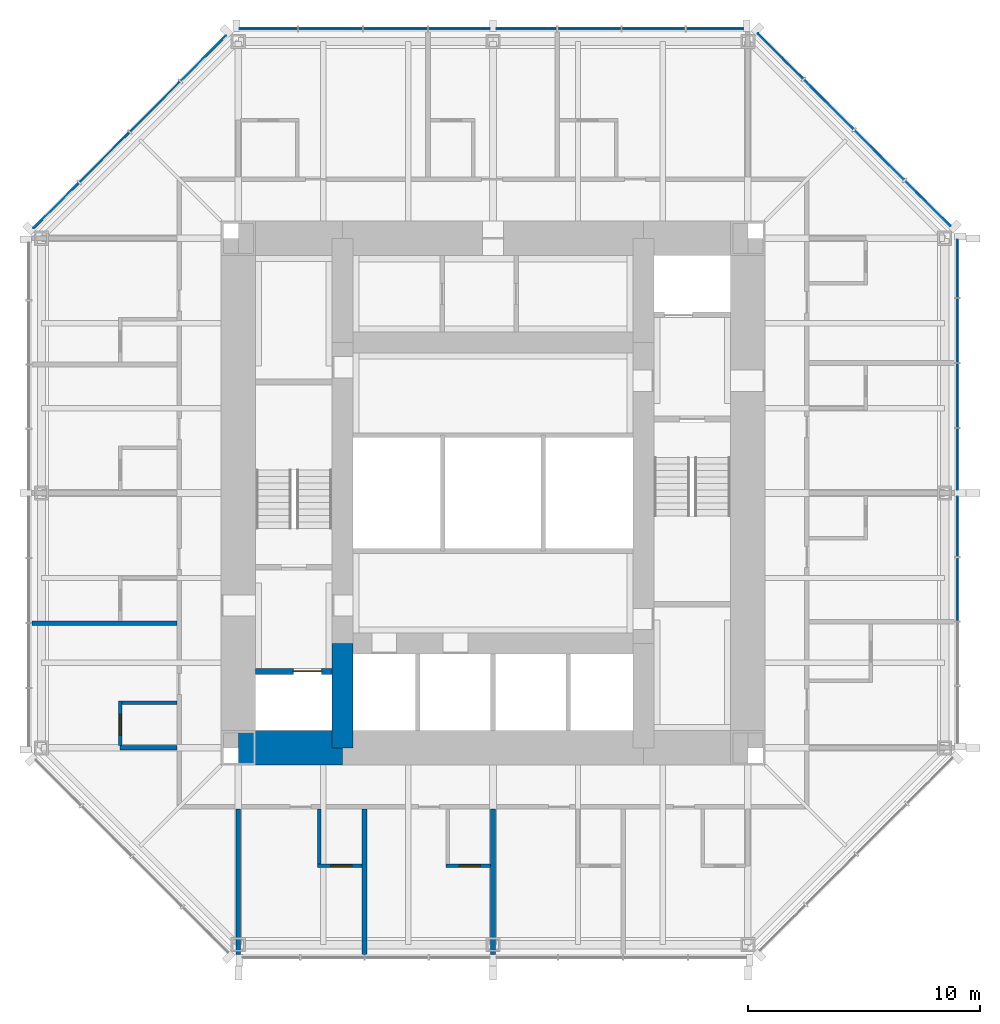
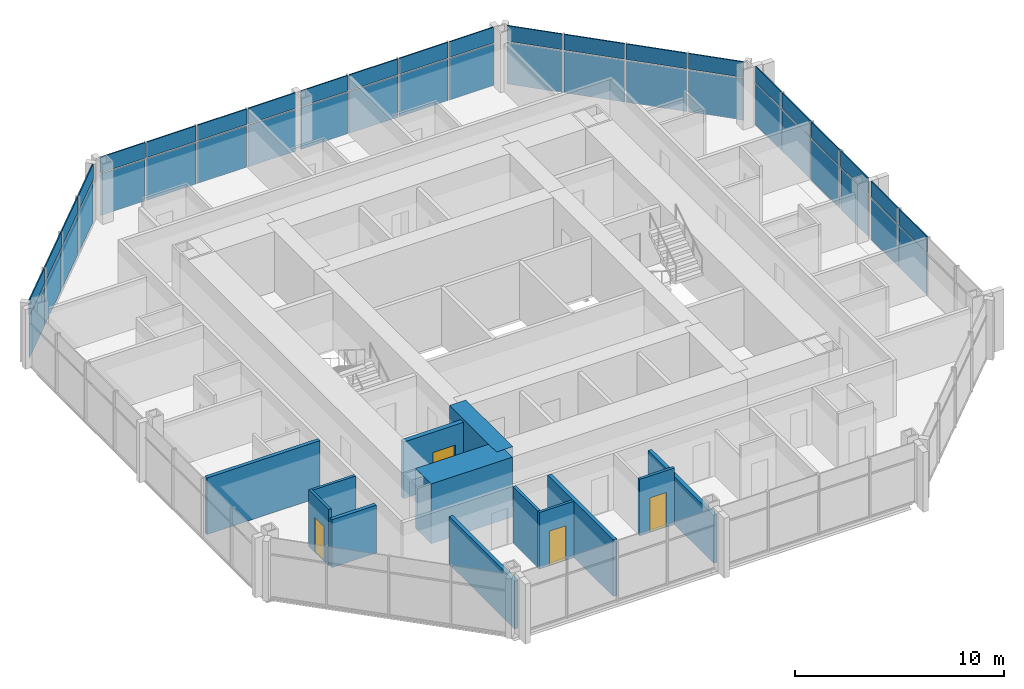
# One storey, part 7 of 12: 44 plates, 13 walls, 4 doors, 4 openings, 4 elements without a shape of their own.
"""IFC4 building model written with IfcOpenShell, lengths in metres."""

from ifc_helpers import new_model, si_unit, direction, frame, frame_2d, origin, origin_2d, place, context, subcontext, project, spatial, rectangle, extrude, material, layer, layer_set, type_object, element, fill, aggregate, save


model = new_model("IFC4")

# Units and contexts
model_context = context("Model", 3, precision=1e-05, world=origin(), true_north=direction((0.0, 1.0)))
body_context = subcontext(model_context, "Body", "Model", "MODEL_VIEW")
ifc_project = project(units=[si_unit("LENGTHUNIT", "METRE"), si_unit("AREAUNIT", "SQUARE_METRE"), si_unit("VOLUMEUNIT", "CUBIC_METRE"), si_unit("PLANEANGLEUNIT", "RADIAN"), si_unit("MASSUNIT", "GRAM", prefix="KILO")], contexts=[model_context])

# Site, building, storey
site_placement = place(None, origin())
site = spatial("IfcSite", under=ifc_project, at=site_placement, CompositionType="ELEMENT")
building_placement = place(site_placement, origin())
building = spatial("IfcBuilding", under=site, at=building_placement, Name="Trevanion Tower", CompositionType="ELEMENT")
storey_placement = place(building_placement, frame((0.0, 0.0, 204.699951171875)))
storey = spatial("IfcBuildingStorey", under=building, at=storey_placement, Name="L48", CompositionType="ELEMENT", Elevation=204.699951171875)

# Curtain wall, plates
ifc_material_1 = material(Name="Aluminium and glass", Category="aluminium")
curtain_wall_type = type_object("IfcCurtainWallType", Name="CW3 curtain wall", PredefinedType="USERDEFINED", material=ifc_material_1)
curtain_wall_1_placement = place(storey_placement, origin())
curtain_wall_1 = element("IfcCurtainWall", 1, at=curtain_wall_1_placement, inside=storey, type_object=curtain_wall_type, Name="CW3 L48 0", ObjectType="UNITISED CURTAIN WALL", PredefinedType="USERDEFINED")
ifc_material_2 = material(Name="Aluminium spandrel panel", Category="aluminium")
ifc_layer_1 = layer(ifc_material_2, 0.06005859375)
ifc_layer_set_1 = layer_set([ifc_layer_1], Name="CW3 spandrel panel")
plate_type_1 = type_object("IfcPlateType", Name="CW3 spandrel panel", PredefinedType="CURTAIN_PANEL", material=ifc_layer_set_1)
plate_1_placement = place(storey_placement, frame((20.050048828125, -4.16162109375, 2.3974609375), z_axis=(0.0, 0.0, 1.0), x_axis=(0.0, 1.0, 0.0)))
plate_1 = element("IfcPlate", 2, at=plate_1_placement, type_object=plate_type_1, Name="CW3 panel 3.2", PredefinedType="CURTAIN_PANEL", context=body_context, shape_type="SweptSolid", body=[
    extrude(rectangle(XDim=2.699462890625, YDim=0.06005859375, at=origin_2d()), origin(), (0.0, 0.0, 1.0), 0.91259765625),
])
plate_2_placement = place(storey_placement, frame((20.050048828125, -1.443603515625, 2.3974609375), z_axis=(0.0, 0.0, 1.0), x_axis=(0.0, 1.0, 0.0)))
plate_2 = element("IfcPlate", 3, at=plate_2_placement, type_object=plate_type_1, Name="CW3 panel 4.2", PredefinedType="CURTAIN_PANEL", context=body_context, shape_type="SweptSolid", body=[
    extrude(rectangle(XDim=2.5869140625, YDim=0.06005859375, at=origin_2d()), origin(), (0.0, 0.0, 1.0), 0.91259765625),
])
plate_3_placement = place(storey_placement, frame((20.050048828125, 1.459716796875, 2.3974609375), z_axis=(0.0, 0.0, 1.0), x_axis=(0.0, 1.0, 0.0)))
plate_3 = element("IfcPlate", 4, at=plate_3_placement, type_object=plate_type_1, Name="CW3 panel 5.2", PredefinedType="CURTAIN_PANEL", context=body_context, shape_type="SweptSolid", body=[
    extrude(rectangle(XDim=2.619384765625, YDim=0.06005859375, at=origin_2d()), origin(), (0.0, 0.0, 1.0), 0.91259765625),
])
plate_4_placement = place(storey_placement, frame((20.050048828125, 4.21044921875, 2.3974609375), z_axis=(0.0, 0.0, 1.0), x_axis=(0.0, 1.0, 0.0)))
plate_4 = element("IfcPlate", 5, at=plate_4_placement, type_object=plate_type_1, Name="CW3 panel 6.2", PredefinedType="CURTAIN_PANEL", context=body_context, shape_type="SweptSolid", body=[
    extrude(rectangle(XDim=2.73193359375, YDim=0.06005859375, at=origin_2d()), origin(), (0.0, 0.0, 1.0), 0.91259765625),
])
plate_5_placement = place(storey_placement, frame((20.050048828125, 7.017333984375, 2.3974609375), z_axis=(0.0, 0.0, 1.0), x_axis=(0.0, 1.0, 0.0)))
plate_5 = element("IfcPlate", 6, at=plate_5_placement, type_object=plate_type_1, Name="CW3 panel 7.2", PredefinedType="CURTAIN_PANEL", context=body_context, shape_type="SweptSolid", body=[
    extrude(rectangle(XDim=2.73193359375, YDim=0.06005859375, at=origin_2d()), origin(), (0.0, 0.0, 1.0), 0.91259765625),
])
plate_6_placement = place(storey_placement, frame((20.050048828125, 9.693115234375, 2.3974609375), z_axis=(0.0, 0.0, 1.0), x_axis=(0.0, 1.0, 0.0)))
plate_6 = element("IfcPlate", 7, at=plate_6_placement, type_object=plate_type_1, Name="CW3 panel 8.2", PredefinedType="CURTAIN_PANEL", context=body_context, shape_type="SweptSolid", body=[
    extrude(rectangle(XDim=2.469482421875, YDim=0.06005859375, at=origin_2d()), origin(), (0.0, 0.0, 1.0), 0.91259765625),
])

curtain_wall_2_placement = place(storey_placement, origin())
curtain_wall_2 = element("IfcCurtainWall", 8, at=curtain_wall_2_placement, inside=storey, type_object=curtain_wall_type, Name="CW3 L48 1", ObjectType="UNITISED CURTAIN WALL", PredefinedType="USERDEFINED")
plate_7_placement = place(storey_placement, frame((18.77392578125, 12.50390625, 2.3974609375), z_axis=(0.0, 0.0, 1.0), x_axis=(-0.707106781187, 0.707106781187, 0.0)))
plate_7 = element("IfcPlate", 9, at=plate_7_placement, type_object=plate_type_1, Name="CW3 panel 1.2", PredefinedType="CURTAIN_PANEL", context=body_context, shape_type="SweptSolid", body=[
    extrude(rectangle(XDim=2.7490234375, YDim=0.06005859375, at=origin_2d()), origin(), (0.0, 0.0, 1.0), 0.91259765625),
])
plate_8_placement = place(storey_placement, frame((16.68408203125, 14.593505859375, 2.3974609375), z_axis=(0.0, 0.0, 1.0), x_axis=(-0.707106781187, 0.707106781187, 0.0)))
plate_8 = element("IfcPlate", 10, at=plate_8_placement, type_object=plate_type_1, Name="CW3 panel 2.2", PredefinedType="CURTAIN_PANEL", context=body_context, shape_type="SweptSolid", body=[
    extrude(rectangle(XDim=3.01171875, YDim=0.06005859375, at=origin_2d()), origin(), (0.0, 0.0, 1.0), 0.91259765625),
])
plate_9_placement = place(storey_placement, frame((14.501708984375, 16.776123046875, 2.3974609375), z_axis=(0.0, 0.0, 1.0), x_axis=(-0.707106781187, 0.707106781187, 0.0)))
plate_9 = element("IfcPlate", 11, at=plate_9_placement, type_object=plate_type_1, Name="CW3 panel 3.2", PredefinedType="CURTAIN_PANEL", context=body_context, shape_type="SweptSolid", body=[
    extrude(rectangle(XDim=3.01171875, YDim=0.06005859375, at=origin_2d()), origin(), (0.0, 0.0, 1.0), 0.91259765625),
])
plate_10_placement = place(storey_placement, frame((12.411865234375, 18.865966796875, 2.3974609375), z_axis=(0.0, 0.0, 1.0), x_axis=(-0.707106781187, 0.707106781187, 0.0)))
plate_10 = element("IfcPlate", 12, at=plate_10_placement, type_object=plate_type_1, Name="CW3 panel 4.2", PredefinedType="CURTAIN_PANEL", context=body_context, shape_type="SweptSolid", body=[
    extrude(rectangle(XDim=2.7490234375, YDim=0.06005859375, at=origin_2d()), origin(), (0.0, 0.0, 1.0), 0.91259765625),
])

curtain_wall_3_placement = place(storey_placement, origin())
curtain_wall_3 = element("IfcCurtainWall", 13, at=curtain_wall_3_placement, inside=storey, type_object=curtain_wall_type, Name="CW3 L48 2", ObjectType="UNITISED CURTAIN WALL", PredefinedType="USERDEFINED")
plate_11_placement = place(storey_placement, frame((9.579345703125, 20.050048828125, 2.3974609375), z_axis=(0.0, 0.0, 1.0), x_axis=(-1.0, 0.0, 0.0)))
plate_11 = element("IfcPlate", 14, at=plate_11_placement, type_object=plate_type_1, Name="CW3 panel 1.2", PredefinedType="CURTAIN_PANEL", context=body_context, shape_type="SweptSolid", body=[
    extrude(rectangle(XDim=2.43701171875, YDim=0.06005859375, at=origin_2d()), origin(), (0.0, 0.0, 1.0), 0.91259765625),
])
plate_12_placement = place(storey_placement, frame((6.93603515625, 20.050048828125, 2.3974609375), z_axis=(0.0, 0.0, 1.0), x_axis=(-1.0, 0.0, 0.0)))
plate_12 = element("IfcPlate", 15, at=plate_12_placement, type_object=plate_type_1, Name="CW3 panel 2.2", PredefinedType="CURTAIN_PANEL", context=body_context, shape_type="SweptSolid", body=[
    extrude(rectangle(XDim=2.699462890625, YDim=0.06005859375, at=origin_2d()), origin(), (0.0, 0.0, 1.0), 0.91259765625),
])
plate_13_placement = place(storey_placement, frame((4.16162109375, 20.050048828125, 2.3974609375), z_axis=(0.0, 0.0, 1.0), x_axis=(-1.0, 0.0, 0.0)))
plate_13 = element("IfcPlate", 16, at=plate_13_placement, type_object=plate_type_1, Name="CW3 panel 3.2", PredefinedType="CURTAIN_PANEL", context=body_context, shape_type="SweptSolid", body=[
    extrude(rectangle(XDim=2.699462890625, YDim=0.06005859375, at=origin_2d()), origin(), (0.0, 0.0, 1.0), 0.91259765625),
])
plate_14_placement = place(storey_placement, frame((1.443603515625, 20.050048828125, 2.3974609375), z_axis=(0.0, 0.0, 1.0), x_axis=(-1.0, 0.0, 0.0)))
plate_14 = element("IfcPlate", 17, at=plate_14_placement, type_object=plate_type_1, Name="CW3 panel 4.2", PredefinedType="CURTAIN_PANEL", context=body_context, shape_type="SweptSolid", body=[
    extrude(rectangle(XDim=2.5869140625, YDim=0.06005859375, at=origin_2d()), origin(), (0.0, 0.0, 1.0), 0.91259765625),
])
plate_15_placement = place(storey_placement, frame((-1.459716796875, 20.050048828125, 2.3974609375), z_axis=(0.0, 0.0, 1.0), x_axis=(-1.0, 0.0, 0.0)))
plate_15 = element("IfcPlate", 18, at=plate_15_placement, type_object=plate_type_1, Name="CW3 panel 5.2", PredefinedType="CURTAIN_PANEL", context=body_context, shape_type="SweptSolid", body=[
    extrude(rectangle(XDim=2.619384765625, YDim=0.06005859375, at=origin_2d()), origin(), (0.0, 0.0, 1.0), 0.91259765625),
])
plate_16_placement = place(storey_placement, frame((-4.21044921875, 20.050048828125, 2.3974609375), z_axis=(0.0, 0.0, 1.0), x_axis=(-1.0, 0.0, 0.0)))
plate_16 = element("IfcPlate", 19, at=plate_16_placement, type_object=plate_type_1, Name="CW3 panel 6.2", PredefinedType="CURTAIN_PANEL", context=body_context, shape_type="SweptSolid", body=[
    extrude(rectangle(XDim=2.73193359375, YDim=0.06005859375, at=origin_2d()), origin(), (0.0, 0.0, 1.0), 0.91259765625),
])
plate_17_placement = place(storey_placement, frame((-7.017333984375, 20.050048828125, 2.3974609375), z_axis=(0.0, 0.0, 1.0), x_axis=(-1.0, 0.0, 0.0)))
plate_17 = element("IfcPlate", 20, at=plate_17_placement, type_object=plate_type_1, Name="CW3 panel 7.2", PredefinedType="CURTAIN_PANEL", context=body_context, shape_type="SweptSolid", body=[
    extrude(rectangle(XDim=2.73193359375, YDim=0.06005859375, at=origin_2d()), origin(), (0.0, 0.0, 1.0), 0.91259765625),
])
plate_18_placement = place(storey_placement, frame((-9.693115234375, 20.050048828125, 2.3974609375), z_axis=(0.0, 0.0, 1.0), x_axis=(-1.0, 0.0, 0.0)))
plate_18 = element("IfcPlate", 21, at=plate_18_placement, type_object=plate_type_1, Name="CW3 panel 8.2", PredefinedType="CURTAIN_PANEL", context=body_context, shape_type="SweptSolid", body=[
    extrude(rectangle(XDim=2.469482421875, YDim=0.06005859375, at=origin_2d()), origin(), (0.0, 0.0, 1.0), 0.91259765625),
])

curtain_wall_4_placement = place(storey_placement, origin())
curtain_wall_4 = element("IfcCurtainWall", 22, at=curtain_wall_4_placement, inside=storey, type_object=curtain_wall_type, Name="CW3 L48 3", ObjectType="UNITISED CURTAIN WALL", PredefinedType="USERDEFINED")
plate_19_placement = place(storey_placement, frame((-12.50390625, 18.77392578125, 2.3974609375), z_axis=(0.0, 0.0, 1.0), x_axis=(-0.707106781187, -0.707106781187, 0.0)))
plate_19 = element("IfcPlate", 23, at=plate_19_placement, type_object=plate_type_1, Name="CW3 panel 1.2", PredefinedType="CURTAIN_PANEL", context=body_context, shape_type="SweptSolid", body=[
    extrude(rectangle(XDim=2.7490234375, YDim=0.06005859375, at=origin_2d()), origin(), (0.0, 0.0, 1.0), 0.91259765625),
])
plate_20_placement = place(storey_placement, frame((-14.593505859375, 16.68408203125, 2.3974609375), z_axis=(0.0, 0.0, 1.0), x_axis=(-0.707106781187, -0.707106781187, 0.0)))
plate_20 = element("IfcPlate", 24, at=plate_20_placement, type_object=plate_type_1, Name="CW3 panel 2.2", PredefinedType="CURTAIN_PANEL", context=body_context, shape_type="SweptSolid", body=[
    extrude(rectangle(XDim=3.01171875, YDim=0.06005859375, at=origin_2d()), origin(), (0.0, 0.0, 1.0), 0.91259765625),
])
plate_21_placement = place(storey_placement, frame((-16.776123046875, 14.501708984375, 2.3974609375), z_axis=(0.0, 0.0, 1.0), x_axis=(-0.707106781187, -0.707106781187, 0.0)))
plate_21 = element("IfcPlate", 25, at=plate_21_placement, type_object=plate_type_1, Name="CW3 panel 3.2", PredefinedType="CURTAIN_PANEL", context=body_context, shape_type="SweptSolid", body=[
    extrude(rectangle(XDim=3.01171875, YDim=0.06005859375, at=origin_2d()), origin(), (0.0, 0.0, 1.0), 0.91259765625),
])
plate_22_placement = place(storey_placement, frame((-18.865966796875, 12.411865234375, 2.3974609375), z_axis=(0.0, 0.0, 1.0), x_axis=(-0.707106781187, -0.707106781187, 0.0)))
plate_22 = element("IfcPlate", 26, at=plate_22_placement, type_object=plate_type_1, Name="CW3 panel 4.2", PredefinedType="CURTAIN_PANEL", context=body_context, shape_type="SweptSolid", body=[
    extrude(rectangle(XDim=2.7490234375, YDim=0.06005859375, at=origin_2d()), origin(), (0.0, 0.0, 1.0), 0.91259765625),
])

# Plate
ifc_material_3 = material(Name="Insulating glass unit", Category="glass")
ifc_layer_2 = layer(ifc_material_3, 0.028076171875)
ifc_layer_set_2 = layer_set([ifc_layer_2], Name="CW3 vision panel")
plate_type_2 = type_object("IfcPlateType", Name="CW3 vision panel", PredefinedType="CURTAIN_PANEL", material=ifc_layer_set_2)
plate_23_placement = place(storey_placement, frame((20.050048828125, -4.16162109375, -0.114990234375), z_axis=(0.0, 0.0, 1.0), x_axis=(0.0, 1.0, 0.0)))
plate_23 = element("IfcPlate", 27, at=plate_23_placement, type_object=plate_type_2, Name="CW3 panel 3.1", PredefinedType="CURTAIN_PANEL", context=body_context, shape_type="SweptSolid", body=[
    extrude(rectangle(XDim=2.699462890625, YDim=0.028076171875, at=origin_2d()), origin(), (0.0, 0.0, 1.0), 2.4375),
])

plate_24_placement = place(storey_placement, frame((20.050048828125, -1.443603515625, -0.114990234375), z_axis=(0.0, 0.0, 1.0), x_axis=(0.0, 1.0, 0.0)))
plate_24 = element("IfcPlate", 28, at=plate_24_placement, type_object=plate_type_2, Name="CW3 panel 4.1", PredefinedType="CURTAIN_PANEL", context=body_context, shape_type="SweptSolid", body=[
    extrude(rectangle(XDim=2.5869140625, YDim=0.028076171875, at=origin_2d()), origin(), (0.0, 0.0, 1.0), 2.4375),
])

plate_25_placement = place(storey_placement, frame((20.050048828125, 1.459716796875, -0.114990234375), z_axis=(0.0, 0.0, 1.0), x_axis=(0.0, 1.0, 0.0)))
plate_25 = element("IfcPlate", 29, at=plate_25_placement, type_object=plate_type_2, Name="CW3 panel 5.1", PredefinedType="CURTAIN_PANEL", context=body_context, shape_type="SweptSolid", body=[
    extrude(rectangle(XDim=2.619384765625, YDim=0.028076171875, at=origin_2d()), origin(), (0.0, 0.0, 1.0), 2.4375),
])

plate_26_placement = place(storey_placement, frame((20.050048828125, 4.21044921875, -0.114990234375), z_axis=(0.0, 0.0, 1.0), x_axis=(0.0, 1.0, 0.0)))
plate_26 = element("IfcPlate", 30, at=plate_26_placement, type_object=plate_type_2, Name="CW3 panel 6.1", PredefinedType="CURTAIN_PANEL", context=body_context, shape_type="SweptSolid", body=[
    extrude(rectangle(XDim=2.73193359375, YDim=0.028076171875, at=origin_2d()), origin(), (0.0, 0.0, 1.0), 2.4375),
])

plate_27_placement = place(storey_placement, frame((20.050048828125, 7.017333984375, -0.114990234375), z_axis=(0.0, 0.0, 1.0), x_axis=(0.0, 1.0, 0.0)))
plate_27 = element("IfcPlate", 31, at=plate_27_placement, type_object=plate_type_2, Name="CW3 panel 7.1", PredefinedType="CURTAIN_PANEL", context=body_context, shape_type="SweptSolid", body=[
    extrude(rectangle(XDim=2.73193359375, YDim=0.028076171875, at=origin_2d()), origin(), (0.0, 0.0, 1.0), 2.4375),
])

plate_28_placement = place(storey_placement, frame((20.050048828125, 9.693115234375, -0.114990234375), z_axis=(0.0, 0.0, 1.0), x_axis=(0.0, 1.0, 0.0)))
plate_28 = element("IfcPlate", 32, at=plate_28_placement, type_object=plate_type_2, Name="CW3 panel 8.1", PredefinedType="CURTAIN_PANEL", context=body_context, shape_type="SweptSolid", body=[
    extrude(rectangle(XDim=2.469482421875, YDim=0.028076171875, at=origin_2d()), origin(), (0.0, 0.0, 1.0), 2.4375),
])

aggregate(curtain_wall_1, [plate_23, plate_1, plate_24, plate_2, plate_25, plate_3, plate_26, plate_4, plate_27, plate_5, plate_28, plate_6])

plate_29_placement = place(storey_placement, frame((18.77392578125, 12.50390625, -0.114990234375), z_axis=(0.0, 0.0, 1.0), x_axis=(-0.707106781187, 0.707106781187, 0.0)))
plate_29 = element("IfcPlate", 33, at=plate_29_placement, type_object=plate_type_2, Name="CW3 panel 1.1", PredefinedType="CURTAIN_PANEL", context=body_context, shape_type="SweptSolid", body=[
    extrude(rectangle(XDim=2.7490234375, YDim=0.028076171875, at=origin_2d()), origin(), (0.0, 0.0, 1.0), 2.4375),
])

plate_30_placement = place(storey_placement, frame((16.68408203125, 14.593505859375, -0.114990234375), z_axis=(0.0, 0.0, 1.0), x_axis=(-0.707106781187, 0.707106781187, 0.0)))
plate_30 = element("IfcPlate", 34, at=plate_30_placement, type_object=plate_type_2, Name="CW3 panel 2.1", PredefinedType="CURTAIN_PANEL", context=body_context, shape_type="SweptSolid", body=[
    extrude(rectangle(XDim=3.01171875, YDim=0.028076171875, at=origin_2d()), origin(), (0.0, 0.0, 1.0), 2.4375),
])

plate_31_placement = place(storey_placement, frame((14.501708984375, 16.776123046875, -0.114990234375), z_axis=(0.0, 0.0, 1.0), x_axis=(-0.707106781187, 0.707106781187, 0.0)))
plate_31 = element("IfcPlate", 35, at=plate_31_placement, type_object=plate_type_2, Name="CW3 panel 3.1", PredefinedType="CURTAIN_PANEL", context=body_context, shape_type="SweptSolid", body=[
    extrude(rectangle(XDim=3.01171875, YDim=0.028076171875, at=origin_2d()), origin(), (0.0, 0.0, 1.0), 2.4375),
])

plate_32_placement = place(storey_placement, frame((12.411865234375, 18.865966796875, -0.114990234375), z_axis=(0.0, 0.0, 1.0), x_axis=(-0.707106781187, 0.707106781187, 0.0)))
plate_32 = element("IfcPlate", 36, at=plate_32_placement, type_object=plate_type_2, Name="CW3 panel 4.1", PredefinedType="CURTAIN_PANEL", context=body_context, shape_type="SweptSolid", body=[
    extrude(rectangle(XDim=2.7490234375, YDim=0.028076171875, at=origin_2d()), origin(), (0.0, 0.0, 1.0), 2.4375),
])

aggregate(curtain_wall_2, [plate_29, plate_7, plate_30, plate_8, plate_31, plate_9, plate_32, plate_10])

plate_33_placement = place(storey_placement, frame((9.579345703125, 20.050048828125, -0.114990234375), z_axis=(0.0, 0.0, 1.0), x_axis=(-1.0, 0.0, 0.0)))
plate_33 = element("IfcPlate", 37, at=plate_33_placement, type_object=plate_type_2, Name="CW3 panel 1.1", PredefinedType="CURTAIN_PANEL", context=body_context, shape_type="SweptSolid", body=[
    extrude(rectangle(XDim=2.43701171875, YDim=0.028076171875, at=origin_2d()), origin(), (0.0, 0.0, 1.0), 2.4375),
])

plate_34_placement = place(storey_placement, frame((6.93603515625, 20.050048828125, -0.114990234375), z_axis=(0.0, 0.0, 1.0), x_axis=(-1.0, 0.0, 0.0)))
plate_34 = element("IfcPlate", 38, at=plate_34_placement, type_object=plate_type_2, Name="CW3 panel 2.1", PredefinedType="CURTAIN_PANEL", context=body_context, shape_type="SweptSolid", body=[
    extrude(rectangle(XDim=2.699462890625, YDim=0.028076171875, at=origin_2d()), origin(), (0.0, 0.0, 1.0), 2.4375),
])

plate_35_placement = place(storey_placement, frame((4.16162109375, 20.050048828125, -0.114990234375), z_axis=(0.0, 0.0, 1.0), x_axis=(-1.0, 0.0, 0.0)))
plate_35 = element("IfcPlate", 39, at=plate_35_placement, type_object=plate_type_2, Name="CW3 panel 3.1", PredefinedType="CURTAIN_PANEL", context=body_context, shape_type="SweptSolid", body=[
    extrude(rectangle(XDim=2.699462890625, YDim=0.028076171875, at=origin_2d()), origin(), (0.0, 0.0, 1.0), 2.4375),
])

plate_36_placement = place(storey_placement, frame((1.443603515625, 20.050048828125, -0.114990234375), z_axis=(0.0, 0.0, 1.0), x_axis=(-1.0, 0.0, 0.0)))
plate_36 = element("IfcPlate", 40, at=plate_36_placement, type_object=plate_type_2, Name="CW3 panel 4.1", PredefinedType="CURTAIN_PANEL", context=body_context, shape_type="SweptSolid", body=[
    extrude(rectangle(XDim=2.5869140625, YDim=0.028076171875, at=origin_2d()), origin(), (0.0, 0.0, 1.0), 2.4375),
])

plate_37_placement = place(storey_placement, frame((-1.459716796875, 20.050048828125, -0.114990234375), z_axis=(0.0, 0.0, 1.0), x_axis=(-1.0, 0.0, 0.0)))
plate_37 = element("IfcPlate", 41, at=plate_37_placement, type_object=plate_type_2, Name="CW3 panel 5.1", PredefinedType="CURTAIN_PANEL", context=body_context, shape_type="SweptSolid", body=[
    extrude(rectangle(XDim=2.619384765625, YDim=0.028076171875, at=origin_2d()), origin(), (0.0, 0.0, 1.0), 2.4375),
])

plate_38_placement = place(storey_placement, frame((-4.21044921875, 20.050048828125, -0.114990234375), z_axis=(0.0, 0.0, 1.0), x_axis=(-1.0, 0.0, 0.0)))
plate_38 = element("IfcPlate", 42, at=plate_38_placement, type_object=plate_type_2, Name="CW3 panel 6.1", PredefinedType="CURTAIN_PANEL", context=body_context, shape_type="SweptSolid", body=[
    extrude(rectangle(XDim=2.73193359375, YDim=0.028076171875, at=origin_2d()), origin(), (0.0, 0.0, 1.0), 2.4375),
])

plate_39_placement = place(storey_placement, frame((-7.017333984375, 20.050048828125, -0.114990234375), z_axis=(0.0, 0.0, 1.0), x_axis=(-1.0, 0.0, 0.0)))
plate_39 = element("IfcPlate", 43, at=plate_39_placement, type_object=plate_type_2, Name="CW3 panel 7.1", PredefinedType="CURTAIN_PANEL", context=body_context, shape_type="SweptSolid", body=[
    extrude(rectangle(XDim=2.73193359375, YDim=0.028076171875, at=origin_2d()), origin(), (0.0, 0.0, 1.0), 2.4375),
])

plate_40_placement = place(storey_placement, frame((-9.693115234375, 20.050048828125, -0.114990234375), z_axis=(0.0, 0.0, 1.0), x_axis=(-1.0, 0.0, 0.0)))
plate_40 = element("IfcPlate", 44, at=plate_40_placement, type_object=plate_type_2, Name="CW3 panel 8.1", PredefinedType="CURTAIN_PANEL", context=body_context, shape_type="SweptSolid", body=[
    extrude(rectangle(XDim=2.469482421875, YDim=0.028076171875, at=origin_2d()), origin(), (0.0, 0.0, 1.0), 2.4375),
])

aggregate(curtain_wall_3, [plate_33, plate_11, plate_34, plate_12, plate_35, plate_13, plate_36, plate_14, plate_37, plate_15, plate_38, plate_16, plate_39, plate_17, plate_40, plate_18])

plate_41_placement = place(storey_placement, frame((-12.50390625, 18.77392578125, -0.114990234375), z_axis=(0.0, 0.0, 1.0), x_axis=(-0.707106781187, -0.707106781187, 0.0)))
plate_41 = element("IfcPlate", 45, at=plate_41_placement, type_object=plate_type_2, Name="CW3 panel 1.1", PredefinedType="CURTAIN_PANEL", context=body_context, shape_type="SweptSolid", body=[
    extrude(rectangle(XDim=2.7490234375, YDim=0.028076171875, at=origin_2d()), origin(), (0.0, 0.0, 1.0), 2.4375),
])

plate_42_placement = place(storey_placement, frame((-14.593505859375, 16.68408203125, -0.114990234375), z_axis=(0.0, 0.0, 1.0), x_axis=(-0.707106781187, -0.707106781187, 0.0)))
plate_42 = element("IfcPlate", 46, at=plate_42_placement, type_object=plate_type_2, Name="CW3 panel 2.1", PredefinedType="CURTAIN_PANEL", context=body_context, shape_type="SweptSolid", body=[
    extrude(rectangle(XDim=3.01171875, YDim=0.028076171875, at=origin_2d()), origin(), (0.0, 0.0, 1.0), 2.4375),
])

plate_43_placement = place(storey_placement, frame((-16.776123046875, 14.501708984375, -0.114990234375), z_axis=(0.0, 0.0, 1.0), x_axis=(-0.707106781187, -0.707106781187, 0.0)))
plate_43 = element("IfcPlate", 47, at=plate_43_placement, type_object=plate_type_2, Name="CW3 panel 3.1", PredefinedType="CURTAIN_PANEL", context=body_context, shape_type="SweptSolid", body=[
    extrude(rectangle(XDim=3.01171875, YDim=0.028076171875, at=origin_2d()), origin(), (0.0, 0.0, 1.0), 2.4375),
])

plate_44_placement = place(storey_placement, frame((-18.865966796875, 12.411865234375, -0.114990234375), z_axis=(0.0, 0.0, 1.0), x_axis=(-0.707106781187, -0.707106781187, 0.0)))
plate_44 = element("IfcPlate", 48, at=plate_44_placement, type_object=plate_type_2, Name="CW3 panel 4.1", PredefinedType="CURTAIN_PANEL", context=body_context, shape_type="SweptSolid", body=[
    extrude(rectangle(XDim=2.7490234375, YDim=0.028076171875, at=origin_2d()), origin(), (0.0, 0.0, 1.0), 2.4375),
])

aggregate(curtain_wall_4, [plate_41, plate_19, plate_42, plate_20, plate_43, plate_21, plate_44, plate_22])

# Walls
ifc_material_4 = material(Name="Concrete 10,000 psi", Category="concrete")
ifc_layer_3 = layer(ifc_material_4, 1.5)
ifc_layer_set_3 = layer_set([ifc_layer_3], Name="CW1 core wall 1500")
wall_type_1 = type_object("IfcWallType", Name="CW1 core wall 1500", PredefinedType="SHEAR", material=ifc_layer_set_3)
wall_1_placement = place(storey_placement, frame((-11.0, -11.0, 0.0), z_axis=(0.0, 0.0, 1.0), x_axis=(1.0, 0.0, 0.0)))
element("IfcWall", 49, at=wall_1_placement, inside=storey, type_object=wall_type_1, Name="CW1 CS1 L48", PredefinedType="SHEAR", context=body_context, shape_type="SweptSolid", body=[
    extrude(rectangle(XDim=4.5, YDim=1.5, at=frame_2d((2.25, 0.0))), origin(), (0.0, 0.0, 1.0), 3.5),
])
ifc_material_5 = material(Name="Concrete 10,000 psi", Category="concrete")
ifc_layer_4 = layer(ifc_material_5, 0.89990234375)
ifc_layer_set_4 = layer_set([ifc_layer_4], Name="CW2 core wall 900")
wall_type_2 = type_object("IfcWallType", Name="CW2 core wall 900", PredefinedType="SHEAR", material=ifc_layer_set_4)
wall_2_placement = place(storey_placement, frame((-6.5, -6.5, 0.0), z_axis=(0.0, 0.0, 1.0), x_axis=(0.0, -1.0, 0.0)))
element("IfcWall", 50, at=wall_2_placement, inside=storey, type_object=wall_type_2, Name="CW2 RW3 L48", PredefinedType="SHEAR", context=body_context, shape_type="SweptSolid", body=[
    extrude(rectangle(XDim=4.5, YDim=0.89990234375, at=frame_2d((2.25, 0.0))), origin(), (0.0, 0.0, 1.0), 3.5),
])

# Wall, opening, door
ifc_material_6 = material(Name="Gypsum board on steel studs", Category="steel")
ifc_layer_5 = layer(ifc_material_6, 0.14990234375)
ifc_layer_set_5 = layer_set([ifc_layer_5], Name="PT1 partition 150")
wall_type_3 = type_object("IfcWallType", Name="PT1 partition 150", PredefinedType="PARTITIONING", material=ifc_layer_set_5)
wall_3_placement = place(storey_placement, frame((-16.10009765625, -8.97509765625, 0.0), z_axis=(0.0, 0.0, 1.0), x_axis=(0.0, -1.0, 0.0)))
wall_3 = element("IfcWall", 51, at=wall_3_placement, inside=storey, type_object=wall_type_3, Name="PT1 L48 BA23", PredefinedType="PARTITIONING", context=body_context, shape_type="SweptSolid", body=[
    extrude(rectangle(XDim=1.9248046875, YDim=0.14990234375, at=frame_2d((0.96240234375, 0.0))), origin(), (0.0, 0.0, 1.0), 3.31005859375),
])
opening_1_placement = place(wall_3_placement, frame((0.5673828125, 0.0, 0.0)))
opening_1 = element("IfcOpeningElement", 52, at=opening_1_placement, cuts=wall_3, Name="Opening 48-036", PredefinedType="OPENING", context=body_context, shape_type="SweptSolid", body=[
    extrude(rectangle(XDim=0.9150390625, YDim=2.031982421875, at=frame_2d((0.45751953125, 1.01611328125))), frame((0.0, 0.0849609375, 0.0), z_axis=(0.0, -1.0, 0.0), x_axis=(1.0, 0.0, 0.0)), (0.0, 0.0, 1.0), 0.169921875),
])
ifc_material_7 = material(Name="Timber veneer", Category="wood")
door_type_1 = type_object("IfcDoorType", Name="D7 bathroom door", OperationType="SINGLE_SWING_LEFT", PredefinedType="DOOR", material=ifc_material_7)
door_1_placement = place(opening_1_placement, origin())
door_1 = element("IfcDoor", 53, at=door_1_placement, inside=storey, type_object=door_type_1, Name="Door 48-036", OperationType="SINGLE_SWING_LEFT", OverallHeight=2.031982421875, OverallWidth=0.9150390625, PredefinedType="DOOR", context=body_context, shape_type="SweptSolid", body=[
    extrude(rectangle(XDim=0.9150390625, YDim=2.031982421875, at=frame_2d((0.45751953125, 1.01611328125))), frame((0.0, 0.02490234375, 0.0), z_axis=(0.0, -1.0, 0.0), x_axis=(1.0, 0.0, 0.0)), (0.0, 0.0, 1.0), 0.050048828125),
])
fill(opening_1, door_1)

# Wall
wall_4_placement = place(storey_placement, frame((-13.64990234375, -9.050048828125, 0.0), z_axis=(0.0, 0.0, 1.0), x_axis=(-1.0, 0.0, 0.0)))
element("IfcWall", 54, at=wall_4_placement, inside=storey, type_object=wall_type_3, Name="PT1 L48 BB23", PredefinedType="PARTITIONING", context=body_context, shape_type="SweptSolid", body=[
    extrude(rectangle(XDim=2.375, YDim=0.14990234375, at=frame_2d((1.1875, 0.0))), origin(), (0.0, 0.0, 1.0), 3.31005859375),
])

# Wall, opening, door
wall_5_placement = place(storey_placement, frame((-7.573974609375, -16.10009765625, 0.0), z_axis=(0.0, 0.0, 1.0), x_axis=(1.0, 0.0, 0.0)))
wall_5 = element("IfcWall", 55, at=wall_5_placement, inside=storey, type_object=wall_type_3, Name="PT1 L48 BA30", PredefinedType="PARTITIONING", context=body_context, shape_type="SweptSolid", body=[
    extrude(rectangle(XDim=1.925048828125, YDim=0.14990234375, at=frame_2d((0.96240234375, 0.0))), origin(), (0.0, 0.0, 1.0), 3.31005859375),
])
opening_2_placement = place(wall_5_placement, frame((0.5673828125, 0.0, 0.0)))
opening_2 = element("IfcOpeningElement", 56, at=opening_2_placement, cuts=wall_5, Name="Opening 48-038", PredefinedType="OPENING", context=body_context, shape_type="SweptSolid", body=[
    extrude(rectangle(XDim=0.9150390625, YDim=2.031982421875, at=frame_2d((0.45751953125, 1.01611328125))), frame((0.0, 0.0849609375, 0.0), z_axis=(0.0, -1.0, 0.0), x_axis=(1.0, 0.0, 0.0)), (0.0, 0.0, 1.0), 0.169921875),
])
door_2_placement = place(opening_2_placement, origin())
door_2 = element("IfcDoor", 57, at=door_2_placement, inside=storey, type_object=door_type_1, Name="Door 48-038", OperationType="SINGLE_SWING_LEFT", OverallHeight=2.031982421875, OverallWidth=0.9150390625, PredefinedType="DOOR", context=body_context, shape_type="SweptSolid", body=[
    extrude(rectangle(XDim=0.9150390625, YDim=2.031982421875, at=frame_2d((0.45751953125, 1.01611328125))), frame((0.0, 0.02490234375, 0.0), z_axis=(0.0, -1.0, 0.0), x_axis=(1.0, 0.0, 0.0)), (0.0, 0.0, 1.0), 0.050048828125),
])
fill(opening_2, door_2)

# Wall
wall_6_placement = place(storey_placement, frame((-7.4990234375, -13.64990234375, 0.0), z_axis=(0.0, 0.0, 1.0), x_axis=(0.0, -1.0, 0.0)))
element("IfcWall", 58, at=wall_6_placement, inside=storey, type_object=wall_type_3, Name="PT1 L48 BB30", PredefinedType="PARTITIONING", context=body_context, shape_type="SweptSolid", body=[
    extrude(rectangle(XDim=2.375, YDim=0.14990234375, at=frame_2d((1.1875, 0.0))), origin(), (0.0, 0.0, 1.0), 3.31005859375),
])

# Wall, opening, door
wall_7_placement = place(storey_placement, frame((-2.02490234375, -16.10009765625, 0.0), z_axis=(0.0, 0.0, 1.0), x_axis=(1.0, 0.0, 0.0)))
wall_7 = element("IfcWall", 59, at=wall_7_placement, inside=storey, type_object=wall_type_3, Name="PT1 L48 BA31", PredefinedType="PARTITIONING", context=body_context, shape_type="SweptSolid", body=[
    extrude(rectangle(XDim=1.9248046875, YDim=0.14990234375, at=frame_2d((0.96240234375, 0.0))), origin(), (0.0, 0.0, 1.0), 3.31005859375),
])
opening_3_placement = place(wall_7_placement, frame((0.5673828125, 0.0, 0.0)))
opening_3 = element("IfcOpeningElement", 60, at=opening_3_placement, cuts=wall_7, Name="Opening 48-040", PredefinedType="OPENING", context=body_context, shape_type="SweptSolid", body=[
    extrude(rectangle(XDim=0.9150390625, YDim=2.031982421875, at=frame_2d((0.45751953125, 1.01611328125))), frame((0.0, 0.0849609375, 0.0), z_axis=(0.0, -1.0, 0.0), x_axis=(1.0, 0.0, 0.0)), (0.0, 0.0, 1.0), 0.169921875),
])
door_3_placement = place(opening_3_placement, origin())
door_3 = element("IfcDoor", 61, at=door_3_placement, inside=storey, type_object=door_type_1, Name="Door 48-040", OperationType="SINGLE_SWING_LEFT", OverallHeight=2.031982421875, OverallWidth=0.9150390625, PredefinedType="DOOR", context=body_context, shape_type="SweptSolid", body=[
    extrude(rectangle(XDim=0.9150390625, YDim=2.031982421875, at=frame_2d((0.45751953125, 1.01611328125))), frame((0.0, 0.02490234375, 0.0), z_axis=(0.0, -1.0, 0.0), x_axis=(1.0, 0.0, 0.0)), (0.0, 0.0, 1.0), 0.050048828125),
])
fill(opening_3, door_3)

# Walls
ifc_material_8 = material(Name="Concrete masonry, grouted", Category="masonry")
ifc_layer_6 = layer(ifc_material_8, 0.199951171875)
ifc_layer_set_6 = layer_set([ifc_layer_6], Name="PT2 partition 200 1 HR")
wall_type_4 = type_object("IfcWallType", Name="PT2 partition 200 1 HR", PredefinedType="PARTITIONING", material=ifc_layer_set_6)
wall_8_placement = place(storey_placement, frame((-13.64990234375, -5.614013671875, 0.0), z_axis=(0.0, 0.0, 1.0), x_axis=(-1.0, 0.0, 0.0)))
element("IfcWall", 62, at=wall_8_placement, inside=storey, type_object=wall_type_4, Name="PT2 L48 HD23", PredefinedType="PARTITIONING", context=body_context, shape_type="SweptSolid", body=[
    extrude(rectangle(XDim=6.26513671875, YDim=0.199951171875, at=frame_2d((3.132568359375, 0.0))), origin(), (0.0, 0.0, 1.0), 3.31005859375),
])
wall_9_placement = place(storey_placement, frame((-13.64990234375, -11.0, 0.0), z_axis=(0.0, 0.0, 1.0), x_axis=(-1.0, 0.0, 0.0)))
element("IfcWall", 63, at=wall_9_placement, inside=storey, type_object=wall_type_4, Name="PT2 L48 BC23", PredefinedType="PARTITIONING", context=body_context, shape_type="SweptSolid", body=[
    extrude(rectangle(XDim=2.4501953125, YDim=0.199951171875, at=frame_2d((1.22509765625, 0.0))), origin(), (0.0, 0.0, 1.0), 2.802001953125),
])
wall_10_placement = place(storey_placement, frame((-11.0, -13.64990234375, 0.0), z_axis=(0.0, 0.0, 1.0), x_axis=(0.0, -1.0, 0.0)))
element("IfcWall", 64, at=wall_10_placement, inside=storey, type_object=wall_type_4, Name="PT2 L48 HD30", PredefinedType="PARTITIONING", context=body_context, shape_type="SweptSolid", body=[
    extrude(rectangle(XDim=6.26513671875, YDim=0.199951171875, at=frame_2d((3.132568359375, 0.0))), origin(), (0.0, 0.0, 1.0), 2.802001953125),
])
wall_11_placement = place(storey_placement, frame((-5.549072265625, -13.64990234375, 0.0), z_axis=(0.0, 0.0, 1.0), x_axis=(0.0, -1.0, 0.0)))
element("IfcWall", 65, at=wall_11_placement, inside=storey, type_object=wall_type_4, Name="PT2 L48 HD31", PredefinedType="PARTITIONING", context=body_context, shape_type="SweptSolid", body=[
    extrude(rectangle(XDim=6.26513671875, YDim=0.199951171875, at=frame_2d((3.132568359375, 0.0))), origin(), (0.0, 0.0, 1.0), 3.31005859375),
])
wall_12_placement = place(storey_placement, frame((0.0, -13.64990234375, 0.0), z_axis=(0.0, 0.0, 1.0), x_axis=(0.0, -1.0, 0.0)))
element("IfcWall", 66, at=wall_12_placement, inside=storey, type_object=wall_type_4, Name="PT2 L48 HD32", PredefinedType="PARTITIONING", context=body_context, shape_type="SweptSolid", body=[
    extrude(rectangle(XDim=6.26513671875, YDim=0.199951171875, at=frame_2d((3.132568359375, 0.0))), origin(), (0.0, 0.0, 1.0), 2.802001953125),
])

# Wall, opening, door
ifc_material_9 = material(Name="Concrete masonry, grouted, two-hour", Category="masonry")
ifc_layer_7 = layer(ifc_material_9, 0.25)
ifc_layer_set_7 = layer_set([ifc_layer_7], Name="PT3 partition 250 2 HR")
wall_type_5 = type_object("IfcWallType", Name="PT3 partition 250 2 HR", PredefinedType="PARTITIONING", material=ifc_layer_set_7)
wall_13_placement = place(storey_placement, frame((-6.949951171875, -7.699951171875, 0.0), z_axis=(0.0, 0.0, 1.0), x_axis=(-1.0, 0.0, 0.0)))
wall_13 = element("IfcWall", 67, at=wall_13_placement, inside=storey, type_object=wall_type_5, Name="PT3 L48 WP3", PredefinedType="PARTITIONING", context=body_context, shape_type="SweptSolid", body=[
    extrude(rectangle(XDim=3.300048828125, YDim=0.25, at=frame_2d((1.64990234375, 0.0))), origin(), (0.0, 0.0, 1.0), 3.31005859375),
])
opening_4_placement = place(wall_13_placement, frame((0.449951171875, 0.0, 0.0)))
opening_4 = element("IfcOpeningElement", 68, at=opening_4_placement, cuts=wall_13, Name="Opening 48-008", PredefinedType="OPENING", context=body_context, shape_type="SweptSolid", body=[
    extrude(rectangle(XDim=1.218994140625, YDim=2.134033203125, at=frame_2d((0.609375, 1.06689453125))), frame((0.0, 0.135009765625, 0.0), z_axis=(0.0, -1.0, 0.0), x_axis=(1.0, 0.0, 0.0)), (0.0, 0.0, 1.0), 0.27001953125),
])
ifc_material_10 = material(Name="Stainless steel, fire rated", Category="steel")
door_type_2 = type_object("IfcDoorType", Name="LD2 fire service lift landing door", OperationType="SLIDING_TO_LEFT", PredefinedType="DOOR", material=ifc_material_10)
door_4_placement = place(opening_4_placement, origin())
door_4 = element("IfcDoor", 69, at=door_4_placement, inside=storey, type_object=door_type_2, Name="Door 48-008", OperationType="SLIDING_TO_LEFT", OverallHeight=2.134033203125, OverallWidth=1.218994140625, PredefinedType="DOOR", context=body_context, shape_type="SweptSolid", body=[
    extrude(rectangle(XDim=1.218994140625, YDim=2.134033203125, at=frame_2d((0.609375, 1.06689453125))), frame((0.0, 0.02490234375, 0.0), z_axis=(0.0, -1.0, 0.0), x_axis=(1.0, 0.0, 0.0)), (0.0, 0.0, 1.0), 0.050048828125),
])
fill(opening_4, door_4)

save(model, "model.ifc")
